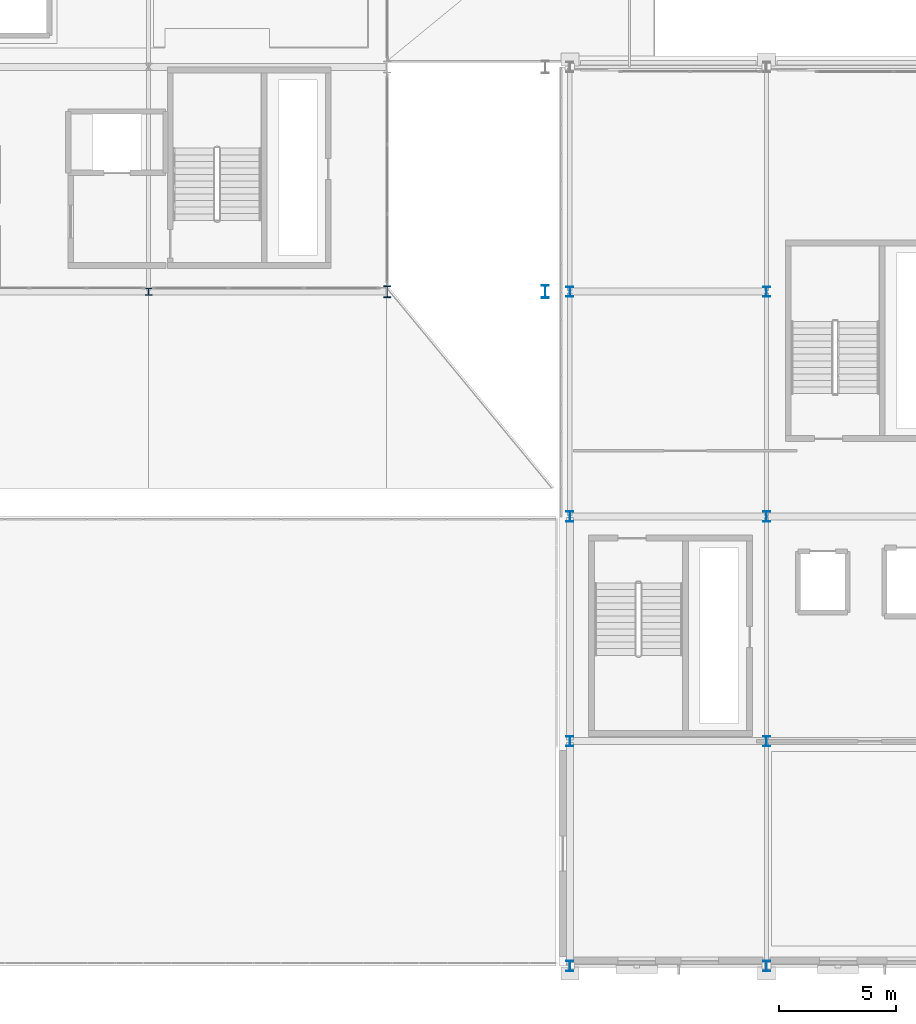
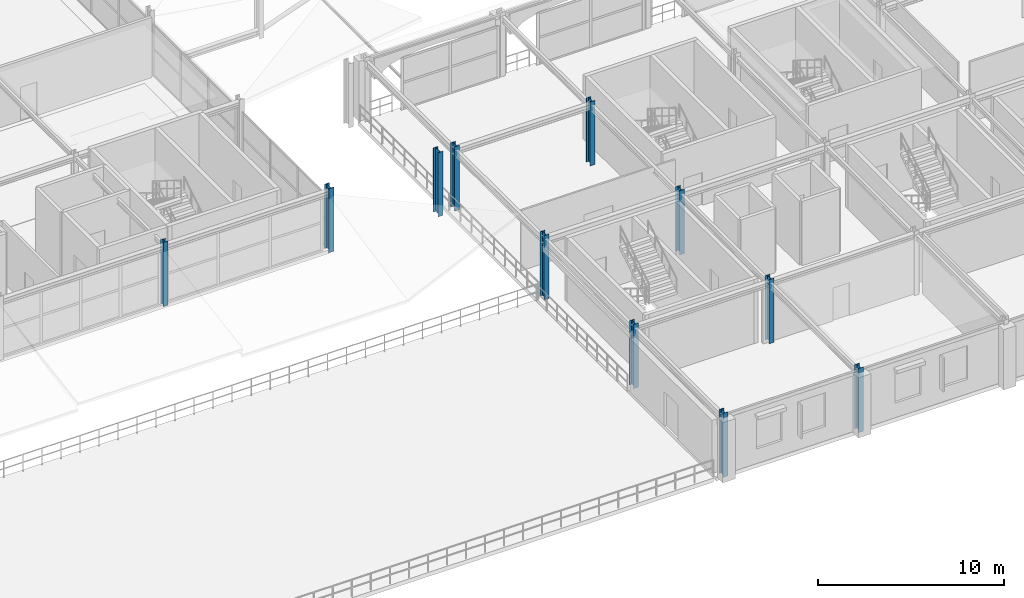
# One storey, part 2 of 81: 11 columns.
"""IFC4 building model written with IfcOpenShell, lengths in metres."""

import ifcopenshell
import ifcopenshell.guid

model = None  # the IFC model being written
_history = None  # IfcOwnerHistory: only IFC2X3 demands one
_inside = {}  # id of a spatial element -> (the spatial element, [elements in it])
_under = {}  # id of a project, library or spatial element -> (it, [spatial elements below it])
_declared = {}  # id of a project -> (the project, [libraries it declares])
_typed = {}  # id of a type object -> (the type object, [elements of that type])
_made_of = {}  # id of a material, layer set ... -> (it, [elements and type objects made of it])


def new_model(schema):
    """Start an empty IFC model of exactly this schema.

    Asked for "IFC4X3", IfcOpenShell would pick the latest addendum, in which some entities
    have other attributes; the version numbers below select the first issue.
    IFC2X3 requires an IfcOwnerHistory on every rooted entity: one is made here for all.
    """
    global model, _history
    if schema == "IFC4X3":
        model = ifcopenshell.file(schema_version=(4, 3, 0, 0))
    else:
        model = ifcopenshell.file(schema=schema)
    _inside.clear()
    _under.clear()
    _declared.clear()
    _typed.clear()
    _made_of.clear()
    _history = None
    if model.schema == "IFC2X3":
        org = make("IfcOrganization", Name="unknown")
        user = make(
            "IfcPersonAndOrganization",
            ThePerson=make("IfcPerson", FamilyName="unknown"),
            TheOrganization=org,
        )
        app = make(
            "IfcApplication",
            ApplicationDeveloper=org,
            Version="unknown",
            ApplicationFullName="unknown",
            ApplicationIdentifier="unknown",
        )
        _history = make(
            "IfcOwnerHistory",
            OwningUser=user,
            OwningApplication=app,
            ChangeAction="ADDED",
            CreationDate=0,
        )
    return model


def make(cls, **values):
    """One entity of the class cls with the attributes given. An attribute that is None is left unset."""
    return model.create_entity(
        cls, **{name: value for name, value in values.items() if value is not None}
    )


def rooted(cls, **values):
    """An entity with a GlobalId (a new one), such as an element, a storey or a relation."""
    return make(cls, GlobalId=ifcopenshell.guid.new(), OwnerHistory=_history, **values)


def si_unit(unit_type, name, prefix=None):
    """IfcSIUnit, for example si_unit("LENGTHUNIT", "METRE", prefix="MILLI")."""
    return make("IfcSIUnit", UnitType=unit_type, Prefix=prefix, Name=name)


def assignment(units):
    """IfcUnitAssignment: the units of a project."""
    return None if units is None else make("IfcUnitAssignment", Units=units)


def point(xyz):
    """IfcCartesianPoint."""
    return None if xyz is None else make("IfcCartesianPoint", Coordinates=xyz)


def direction(xyz):
    """IfcDirection."""
    return None if xyz is None else make("IfcDirection", DirectionRatios=xyz)


def frame(location, z_axis=None, x_axis=None):
    """IfcAxis2Placement3D, a coordinate frame: its origin and axes. An axis left out is left unset."""
    return make(
        "IfcAxis2Placement3D",
        Location=point(location),
        Axis=direction(z_axis),
        RefDirection=direction(x_axis),
    )


def frame_2d(location, x_axis=None):
    """IfcAxis2Placement2D, a coordinate frame in the plane: its origin and x axis."""
    return make(
        "IfcAxis2Placement2D", Location=point(location), RefDirection=direction(x_axis)
    )


def origin():
    """The frame at (0, 0, 0) with its axes left unset."""
    return frame((0.0, 0.0, 0.0))


def origin_2d():
    """The frame at (0, 0) in the plane with its x axis left unset."""
    return frame_2d((0.0, 0.0))


def place(relative_to, where):
    """IfcLocalPlacement: puts the frame where relative to a parent placement (None: the world)."""
    return make(
        "IfcLocalPlacement", PlacementRelTo=relative_to, RelativePlacement=where
    )


def context(
    kind, dimensions, precision=None, world=None, true_north=None, identifier=None
):
    """IfcGeometricRepresentationContext, for example the 3D "Model" context."""
    return make(
        "IfcGeometricRepresentationContext",
        ContextIdentifier=identifier,
        ContextType=kind,
        CoordinateSpaceDimension=dimensions,
        Precision=precision,
        WorldCoordinateSystem=world,
        TrueNorth=true_north,
    )


def subcontext(parent, identifier, kind, view, scale=None):
    """IfcGeometricRepresentationSubContext, for example "Body" below "Model"."""
    return make(
        "IfcGeometricRepresentationSubContext",
        ContextIdentifier=identifier,
        ContextType=kind,
        ParentContext=parent,
        TargetScale=scale,
        TargetView=view,
    )


def project(units=None, contexts=None):
    """IfcProject with its units and contexts."""
    return rooted(
        "IfcProject",
        Name="project",
        RepresentationContexts=contexts,
        UnitsInContext=assignment(units),
    )


def spatial(cls, under=None, at=None, **own):
    """A site, building, storey or space (cls), placed at a placement, below another one or the project."""
    s = rooted(cls, ObjectPlacement=at, **own)
    if under is not None:
        _under.setdefault(under.id(), (under, []))[1].append(s)
    return s


def profile(cls, at=None, kind="AREA", **sizes):
    """A parametric profile (cls). Its sizes go by their IFC names, for example OverallWidth=200.0."""
    return make(cls, ProfileType=kind, Position=at, **sizes)


def i_section(**sizes):
    """IfcIShapeProfileDef."""
    return profile("IfcIShapeProfileDef", **sizes)


def extrude(swept, where, along, depth):
    """IfcExtrudedAreaSolid: the profile swept, set in the frame where, extruded along a direction by depth."""
    return make(
        "IfcExtrudedAreaSolid",
        SweptArea=swept,
        Position=where,
        ExtrudedDirection=direction(along),
        Depth=depth,
    )


def shape(context_of_items, identifier, shape_type, items):
    """IfcShapeRepresentation: the items that make up one representation, for example the "Body"."""
    return make(
        "IfcShapeRepresentation",
        ContextOfItems=context_of_items,
        RepresentationIdentifier=identifier,
        RepresentationType=shape_type,
        Items=items,
    )


def material(Name=None, Category=None):
    """IfcMaterial."""
    return make("IfcMaterial", Name=Name, Category=Category)


def material_profile(
    of_material, cross_section, Name=None, Category=None, Priority=None
):
    """IfcMaterialProfile: a cross section and its material."""
    return make(
        "IfcMaterialProfile",
        Name=Name,
        Material=of_material,
        Profile=cross_section,
        Priority=Priority,
        Category=Category,
    )


def profile_set(profiles, Name=None, composite=None):
    """IfcMaterialProfileSet."""
    return make(
        "IfcMaterialProfileSet",
        Name=Name,
        MaterialProfiles=profiles,
        CompositeProfile=composite,
    )


def made_of(thing, what):
    """Note that an element or type object is made of a material, layer set ...; save() writes the relation."""
    if what is not None:
        _made_of.setdefault(what.id(), (what, []))[1].append(thing)
    return thing


def type_object(cls, material=None, **own):
    """A type object (cls), such as IfcWallType, which elements share."""
    return made_of(rooted(cls, **own), material)


def element(
    cls,
    number,
    at=None,
    inside=None,
    cuts=None,
    type_object=None,
    material=None,
    context=None,
    identifier="Body",
    shape_type=None,
    held_by="IfcProductDefinitionShape",
    body=None,
    shapes=None,
    **own,
):
    """One element of the class cls, such as IfcWall. Its Tag is "e" and its number.

    at: its placement. inside: the storey or other place that contains it. cuts: it is an
    opening in that element (IfcRelVoidsElement). A single representation is given by context,
    identifier, shape_type and body (its items); several are given by shapes. held_by: the class
    of the entity that holds the representations. save() writes the other relations.
    """
    e = rooted(cls, Tag="e%d" % number, ObjectPlacement=at, **own)
    if body is not None:
        shapes = [shape(context, identifier, shape_type, body)]
    if shapes is not None:
        e.Representation = make(held_by, Representations=shapes)
    if inside is not None:
        _inside.setdefault(inside.id(), (inside, []))[1].append(e)
    if cuts is not None:
        rooted(
            "IfcRelVoidsElement", RelatingBuildingElement=cuts, RelatedOpeningElement=e
        )
    if type_object is not None:
        _typed.setdefault(type_object.id(), (type_object, []))[1].append(e)
    return made_of(e, material)


def aggregate(whole, parts):
    """IfcRelAggregates: a whole, such as a stair, and the parts it consists of."""
    return rooted("IfcRelAggregates", RelatingObject=whole, RelatedObjects=parts)


def save(model, path):
    """Write the relations noted so far, then the file.

    IfcRelAggregates (storeys below a building ...), IfcRelContainedInSpatialStructure (elements
    in a storey), IfcRelDefinesByType, IfcRelAssociatesMaterial and IfcRelDeclares: one each for
    every whole, place, type object, material and project.
    """
    for whole, parts in _under.values():
        aggregate(whole, parts)
    for where, things in _inside.values():
        rooted(
            "IfcRelContainedInSpatialStructure",
            RelatedElements=things,
            RelatingStructure=where,
        )
    for kind, things in _typed.values():
        rooted("IfcRelDefinesByType", RelatedObjects=things, RelatingType=kind)
    for what, things in _made_of.values():
        rooted("IfcRelAssociatesMaterial", RelatedObjects=things, RelatingMaterial=what)
    for by, libraries in _declared.values():
        rooted("IfcRelDeclares", RelatingContext=by, RelatedDefinitions=libraries)
    model.write(path)


model = new_model("IFC4")

# Units and contexts
model_context = context("Model", 3, precision=1e-05, world=origin(), true_north=direction((0.0, 1.0)))
body_context = subcontext(model_context, "Body", "Model", "MODEL_VIEW")
ifc_project = project(units=[si_unit("LENGTHUNIT", "METRE"), si_unit("AREAUNIT", "SQUARE_METRE"), si_unit("VOLUMEUNIT", "CUBIC_METRE"), si_unit("PLANEANGLEUNIT", "RADIAN"), si_unit("MASSUNIT", "GRAM", prefix="KILO")], contexts=[model_context])

# Site, building, storey
site_placement = place(None, origin())
site = spatial("IfcSite", under=ifc_project, at=site_placement, CompositionType="ELEMENT")
building_placement = place(site_placement, origin())
building = spatial("IfcBuilding", under=site, at=building_placement, Name="Myrtia Square Station", CompositionType="ELEMENT")
storey_placement = place(building_placement, frame((0.0, 0.0, 10.800048828125)))
storey = spatial("IfcBuildingStorey", under=building, at=storey_placement, Name="L02", CompositionType="ELEMENT", Elevation=10.800048828125)

# Columns
ifc_material = material(Name="Steel S355", Category="steel")
ifc_material_profile_1 = material_profile(ifc_material, i_section(OverallWidth=0.300048828125, OverallDepth=0.43994140625, WebThickness=0.011474609375, FlangeThickness=0.02099609375, FilletRadius=0.027099609375, at=origin_2d()), Name="HEA 450")
ifc_profile_set_1 = profile_set([ifc_material_profile_1], Name="Steel S355")
column_type_1 = type_object("IfcColumnType", Name="COL-HEA450", PredefinedType="COLUMN", material=ifc_profile_set_1)
for number, where, z_axis, x_axis, name in (
    (1, (117.60009765625, 0.0, 0.0), (0.0, 0.0, 1.0), (1.0, 0.0, 0.0), "Column L02-0562"),
    (2, (117.60009765625, 9.60009765625, 0.0), (0.0, 0.0, 1.0), (1.0, 0.0, 0.0), "Column L02-0567"),
    (3, (117.60009765625, 19.199951171875, 0.0), (0.0, 0.0, 1.0), (1.0, 0.0, 0.0), "Column L02-0572"),
    (4, (117.60009765625, 28.800048828125, 0.0), (0.0, 0.0, 1.0), (1.0, 0.0, 0.0), "Column L02-0577"),
    (5, (126.0, 0.0, 0.0), (0.0, 0.0, 1.0), (1.0, 0.0, 0.0), "Column L02-0587"),
    (6, (126.0, 9.60009765625, 0.0), (0.0, 0.0, 1.0), (1.0, 0.0, 0.0), "Column L02-0592"),
    (7, (126.0, 19.199951171875, 0.0), (0.0, 0.0, 1.0), (1.0, 0.0, 0.0), "Column L02-0597"),
    (8, (126.0, 28.800048828125, 0.0), (0.0, 0.0, 1.0), (1.0, 0.0, 0.0), "Column L02-0602"),
):
    element("IfcColumn", number, at=place(storey_placement, frame(where, z_axis=z_axis, x_axis=x_axis)), inside=storey, type_object=column_type_1, Name=name, PredefinedType="COLUMN", context=body_context, shape_type="SweptSolid", body=[
        extrude(i_section(OverallWidth=0.300048828125, OverallDepth=0.43994140625, WebThickness=0.011474609375, FlangeThickness=0.02099609375, FilletRadius=0.027099609375, at=origin_2d()), origin(), (0.0, 0.0, 1.0), 4.199951171875),
    ])
ifc_material_profile_2 = material_profile(ifc_material, i_section(OverallWidth=0.300048828125, OverallDepth=0.5400390625, WebThickness=0.012451171875, FlangeThickness=0.02392578125, FilletRadius=0.027099609375, at=origin_2d()), Name="HEA 550")
ifc_profile_set_2 = profile_set([ifc_material_profile_2], Name="Steel S355")
column_type_2 = type_object("IfcColumnType", Name="COL-HEA550", PredefinedType="COLUMN", material=ifc_profile_set_2)
column_1_placement = place(storey_placement, frame((116.550048828125, 28.800048828125, 0.0), z_axis=(0.0, 0.0, 1.0), x_axis=(1.0, 0.0, 0.0)))
element("IfcColumn", 9, at=column_1_placement, inside=storey, type_object=column_type_2, Name="Column L02-0249", PredefinedType="COLUMN", context=body_context, shape_type="SweptSolid", body=[
    extrude(i_section(OverallWidth=0.300048828125, OverallDepth=0.5400390625, WebThickness=0.012451171875, FlangeThickness=0.02392578125, FilletRadius=0.027099609375, at=origin_2d()), origin(), (0.0, 0.0, 1.0), 4.199951171875),
])
ifc_material_profile_3 = material_profile(ifc_material, i_section(OverallWidth=0.300048828125, OverallDepth=0.300048828125, WebThickness=0.010986328125, FlangeThickness=0.01904296875, FilletRadius=0.027099609375, at=origin_2d()), Name="HEB 300")
ifc_profile_set_3 = profile_set([ifc_material_profile_3], Name="Steel S355")
column_type_3 = type_object("IfcColumnType", Name="COL-HEB300", PredefinedType="COLUMN", material=ifc_profile_set_3)
column_2_placement = place(storey_placement, frame((99.60009765625, 28.800048828125, 0.0), z_axis=(0.0, 0.0, 1.0), x_axis=(1.0, 0.0, 0.0)))
element("IfcColumn", 10, at=column_2_placement, inside=storey, type_object=column_type_3, Name="Column L02-0452", PredefinedType="COLUMN", context=body_context, shape_type="SweptSolid", body=[
    extrude(i_section(OverallWidth=0.300048828125, OverallDepth=0.300048828125, WebThickness=0.010986328125, FlangeThickness=0.01904296875, FilletRadius=0.027099609375, at=origin_2d()), origin(), (0.0, 0.0, 1.0), 4.199951171875),
])
ifc_material_profile_4 = material_profile(ifc_material, i_section(OverallWidth=0.300048828125, OverallDepth=0.5, WebThickness=0.014404296875, FlangeThickness=0.028076171875, FilletRadius=0.027099609375, at=origin_2d()), Name="HEB 500")
ifc_profile_set_4 = profile_set([ifc_material_profile_4], Name="Steel S355")
column_type_4 = type_object("IfcColumnType", Name="COL-HEB500", PredefinedType="COLUMN", material=ifc_profile_set_4)
column_3_placement = place(storey_placement, frame((109.800048828125, 28.800048828125, 0.0), z_axis=(0.0, 0.0, 1.0), x_axis=(1.0, 0.0, 0.0)))
element("IfcColumn", 11, at=column_3_placement, inside=storey, type_object=column_type_4, Name="Column L02-0260", PredefinedType="COLUMN", context=body_context, shape_type="SweptSolid", body=[
    extrude(i_section(OverallWidth=0.300048828125, OverallDepth=0.5, WebThickness=0.014404296875, FlangeThickness=0.028076171875, FilletRadius=0.027099609375, at=origin_2d()), origin(), (0.0, 0.0, 1.0), 4.199951171875),
])

save(model, "model.ifc")
